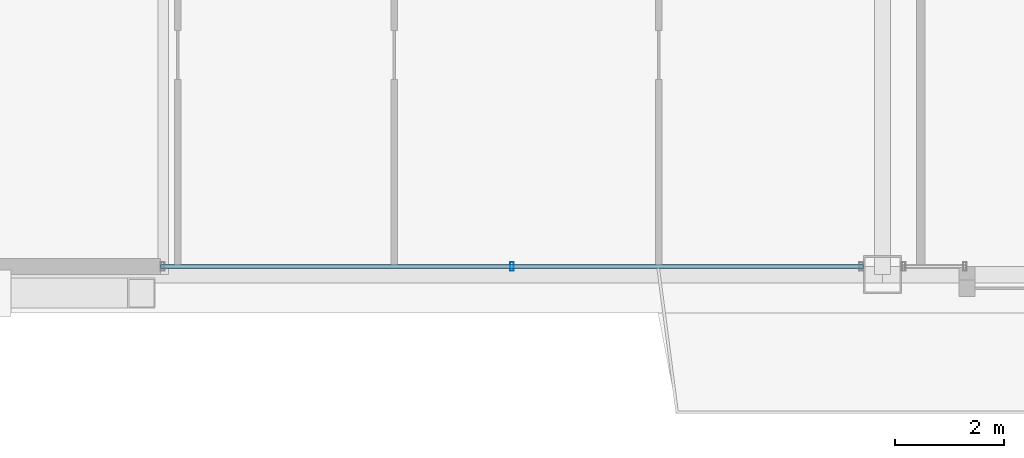
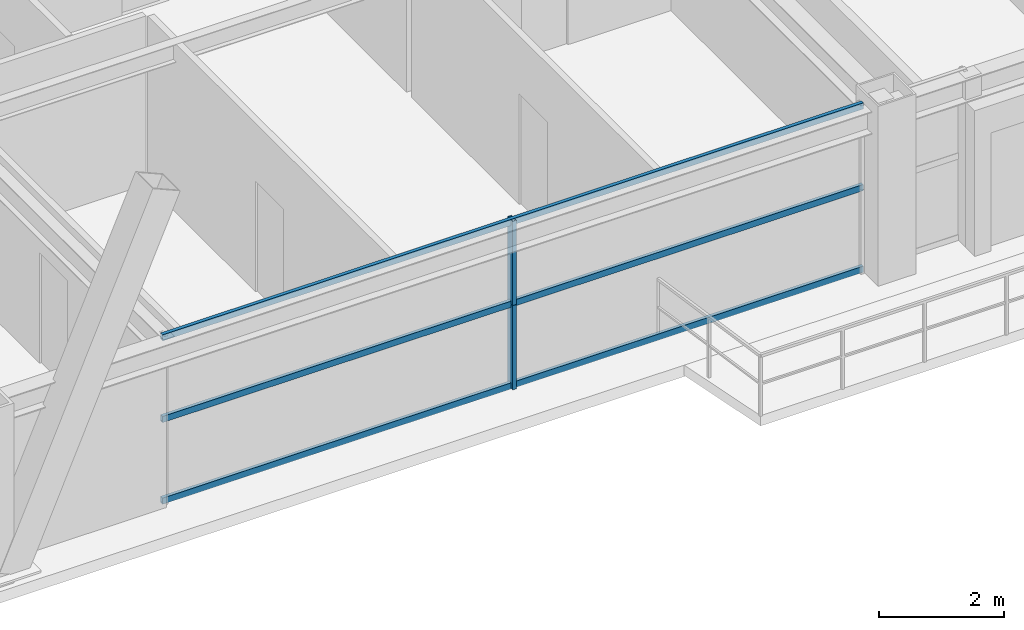
# One storey, part 6 of 37: 5 members, 1 element without a shape of its own.
"""IFC4 building model written with IfcOpenShell, lengths in metres."""

from ifc_helpers import new_model, si_unit, direction, frame, origin, origin_2d, place, context, subcontext, project, spatial, hollow_rectangle, extrude, source, transform, mapped, material, layer, layer_set, material_profile, profile_set, type_object, element, aggregate, save


model = new_model("IFC4")

# Units and contexts
model_context = context("Model", 3, precision=1e-05, world=origin(), true_north=direction((0.0, 1.0)))
body_context = subcontext(model_context, "Body", "Model", "MODEL_VIEW")
ifc_project = project(units=[si_unit("LENGTHUNIT", "METRE"), si_unit("AREAUNIT", "SQUARE_METRE"), si_unit("VOLUMEUNIT", "CUBIC_METRE"), si_unit("PLANEANGLEUNIT", "RADIAN"), si_unit("MASSUNIT", "GRAM", prefix="KILO"), si_unit("THERMODYNAMICTEMPERATUREUNIT", "KELVIN"), si_unit("POWERUNIT", "WATT")], contexts=[model_context])

# Site, building, storey
site_placement = place(None, origin())
site = spatial("IfcSite", under=ifc_project, at=site_placement, CompositionType="ELEMENT")
building_placement = place(site_placement, origin())
building = spatial("IfcBuilding", under=site, at=building_placement, Name="Yuzanri Waterfront Tower", CompositionType="ELEMENT")
storey_placement = place(building_placement, frame((0.0, 0.0, 278.60009765625)))
storey = spatial("IfcBuildingStorey", under=building, at=storey_placement, Name="L74", CompositionType="ELEMENT", Elevation=278.60009765625)

# Curtain wall, members
ifc_material_1 = material(Name="Anodized Architectural Bronze", Category="metal")
ifc_layer = layer(ifc_material_1, 0.159912109375)
ifc_layer_set = layer_set([ifc_layer], Name="Anodized Architectural Bronze")
curtain_wall_type = type_object("IfcCurtainWallType", Name="Anodized Bronze Mid-Rise Residential Acoustic Unitized Curtain Wall 7200", PredefinedType="NOTDEFINED", material=ifc_layer_set)
curtain_wall_placement = place(storey_placement, origin())
curtain_wall = element("IfcCurtainWall", 1, at=curtain_wall_placement, inside=storey, type_object=curtain_wall_type, Name="L74 Curtain Wall CW-L74-SL", PredefinedType="NOTDEFINED")
ifc_material_2 = material(Name="Anodized Architectural Bronze", Category="metal")
ifc_material_profile_1 = material_profile(ifc_material_2, hollow_rectangle(XDim=0.06494140625, YDim=0.159912109375, WallThickness=0.00341796875, at=origin_2d()), Name="CWM 65x160")
ifc_profile_set_1 = profile_set([ifc_material_profile_1], Name="Anodized Architectural Bronze")
member_type_1 = type_object("IfcMemberType", Name="Anodized Bronze Upper-Zone Curtain-Wall Mullion 65x160", PredefinedType="MULLION", material=ifc_profile_set_1)
shared_shape_1 = source(origin(), body_context, "Body", "SweptSolid", [
    extrude(hollow_rectangle(XDim=0.06494140625, YDim=0.159912109375, WallThickness=0.00341796875, at=origin_2d()), origin(), (0.0, 0.0, 1.0), 1.637939453125),
])
member_1_placement = place(storey_placement, frame((30.199951171875, 5.35009765625, 0.0), z_axis=(0.0, 0.0, 1.0), x_axis=(1.0, 0.0, 0.0)))
member_1 = element("IfcMember", 2, at=member_1_placement, type_object=member_type_1, Name="CW-L74-SL Lower Mullion 01", PredefinedType="MULLION", context=body_context, shape_type="MappedRepresentation", body=[
    mapped(shared_shape_1, transform((0.0, 0.0, 0.0), scale=1.0)),
])
member_2_placement = place(storey_placement, frame((30.199951171875, 5.35009765625, 1.641845703125), z_axis=(0.0, 0.0, 1.0), x_axis=(1.0, 0.0, 0.0)))
member_2 = element("IfcMember", 3, at=member_2_placement, type_object=member_type_1, Name="CW-L74-SL Upper Mullion 01", PredefinedType="MULLION", context=body_context, shape_type="MappedRepresentation", body=[
    mapped(shared_shape_1, transform((0.0, 0.0, 0.0), scale=1.0)),
])
ifc_material_3 = material(Name="Anodized Architectural Bronze", Category="metal")
ifc_material_profile_2 = material_profile(ifc_material_3, hollow_rectangle(XDim=0.06494140625, YDim=0.1201171875, WallThickness=0.00341796875, at=origin_2d()), Name="CWT 65x120")
ifc_profile_set_2 = profile_set([ifc_material_profile_2], Name="Anodized Architectural Bronze")
member_type_2 = type_object("IfcMemberType", Name="Anodized Bronze Secondary Curtain-Wall Transom 65x120", PredefinedType="USERDEFINED", material=ifc_profile_set_2)
shared_shape_2 = source(origin(), body_context, "Body", "SweptSolid", [
    extrude(hollow_rectangle(XDim=0.06494140625, YDim=0.1201171875, WallThickness=0.00341796875, at=origin_2d()), origin(), (0.0, 0.0, 1.0), 12.89990234375),
])
member_3_placement = place(storey_placement, frame((23.75, 5.35009765625, 0.0498046875), z_axis=(1.0, 0.0, 0.0), x_axis=(0.0, 1.0, 0.0)))
member_3 = element("IfcMember", 4, at=member_3_placement, type_object=member_type_2, Name="CW-L74-SL Transom 1", ObjectType="TRANSOM", PredefinedType="USERDEFINED", context=body_context, shape_type="MappedRepresentation", body=[
    mapped(shared_shape_2, transform((0.0, 0.0, 0.0), scale=1.0)),
])
member_4_placement = place(storey_placement, frame((23.75, 5.35009765625, 1.639892578125), z_axis=(1.0, 0.0, 0.0), x_axis=(0.0, 1.0, 0.0)))
member_4 = element("IfcMember", 5, at=member_4_placement, type_object=member_type_2, Name="CW-L74-SL Transom 2", ObjectType="TRANSOM", PredefinedType="USERDEFINED", context=body_context, shape_type="MappedRepresentation", body=[
    mapped(shared_shape_2, transform((0.0, 0.0, 0.0), scale=1.0)),
])
member_5_placement = place(storey_placement, frame((23.75, 5.35009765625, 3.22998046875), z_axis=(1.0, 0.0, 0.0), x_axis=(0.0, 1.0, 0.0)))
member_5 = element("IfcMember", 6, at=member_5_placement, type_object=member_type_2, Name="CW-L74-SL Transom 3", ObjectType="TRANSOM", PredefinedType="USERDEFINED", context=body_context, shape_type="MappedRepresentation", body=[
    mapped(shared_shape_2, transform((0.0, 0.0, 0.0), scale=1.0)),
])
aggregate(curtain_wall, [member_1, member_2, member_3, member_4, member_5])

save(model, "model.ifc")
